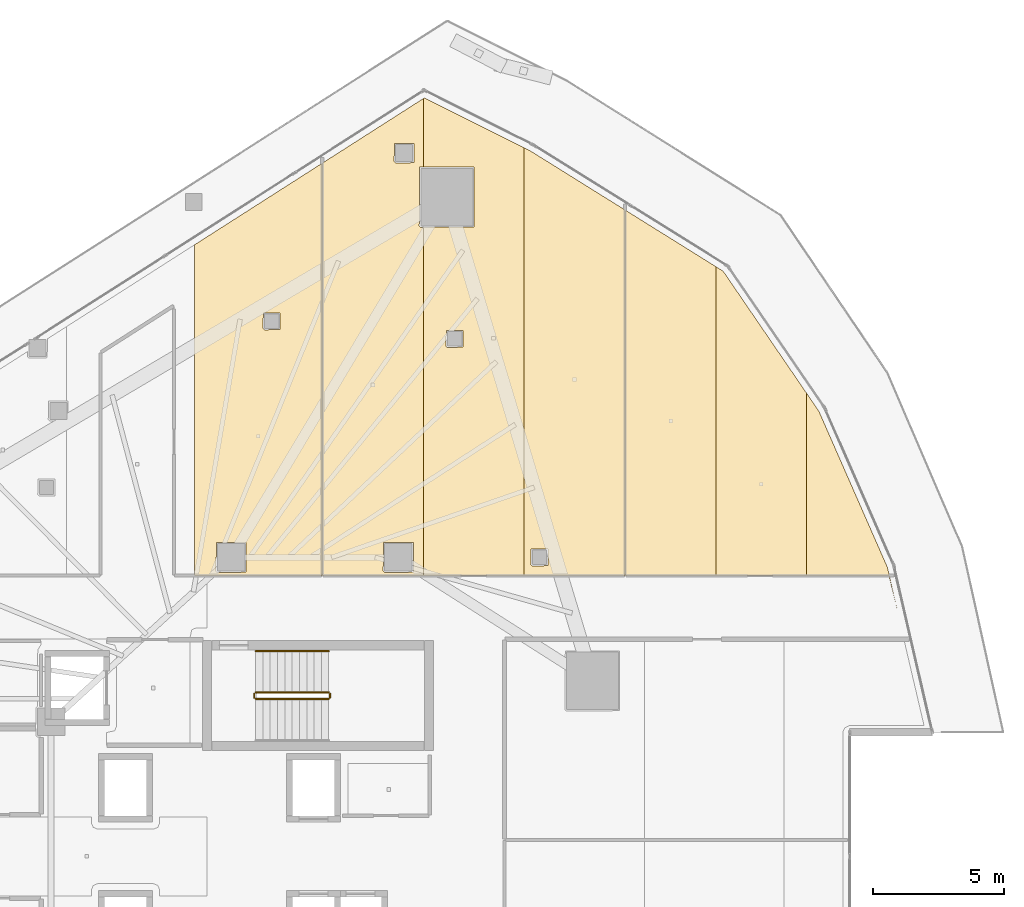
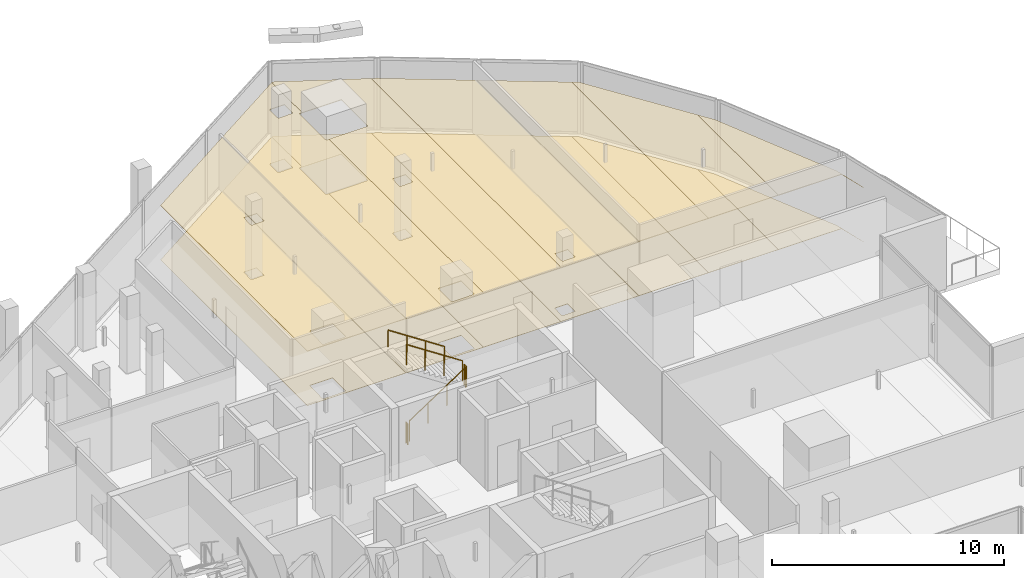
# One storey, part 37 of 38: 14 coverings, 5 railings.
"""IFC4 building model written with IfcOpenShell, lengths in metres."""

from ifc_helpers import new_model, si_unit, direction, frame, origin, origin_2d, place, context, subcontext, project, spatial, polyline, circle, outline, extrude, material, layer, layer_set, type_object, element, save


model = new_model("IFC4")

# Units and contexts
model_context = context("Model", 3, precision=1e-05, world=origin(), true_north=direction((0.0, 1.0)))
body_context = subcontext(model_context, "Body", "Model", "MODEL_VIEW")
ifc_project = project(units=[si_unit("LENGTHUNIT", "METRE"), si_unit("AREAUNIT", "SQUARE_METRE"), si_unit("VOLUMEUNIT", "CUBIC_METRE"), si_unit("PLANEANGLEUNIT", "RADIAN"), si_unit("MASSUNIT", "GRAM", prefix="KILO")], contexts=[model_context])

# Site, building, storey
site_placement = place(None, origin())
site = spatial("IfcSite", under=ifc_project, at=site_placement, CompositionType="ELEMENT")
building_placement = place(site_placement, origin())
building = spatial("IfcBuilding", under=site, at=building_placement, Name="Qorvath Tower", CompositionType="ELEMENT")
storey_placement = place(building_placement, frame((0.0, 0.0, 158.39990234375)))
storey = spatial("IfcBuildingStorey", under=building, at=storey_placement, Name="L36", CompositionType="ELEMENT", Elevation=158.39990234375)

# Coverings
ifc_material_1 = material(Name="Acoustic mineral fibre ceiling tile", Category="gypsum")
ifc_layer_1 = layer(ifc_material_1, 0.030029296875)
ifc_layer_set_1 = layer_set([ifc_layer_1], Name="COV-CEIL")
covering_type_1 = type_object("IfcCoveringType", Name="COV-CEIL", PredefinedType="CEILING", material=ifc_layer_set_1)
covering_1_placement = place(storey_placement, frame((0.0, 0.0, 2.85009765625)))
element("IfcCovering", 1, at=covering_1_placement, inside=storey, type_object=covering_type_1, Name="L36 Suspended Acoustic Ceiling 015", PredefinedType="CEILING", context=body_context, shape_type="SweptSolid", body=[
    extrude(outline(polyline([(-20.123779296875, 10.762939453125), (-20.123779296875, 26.538330078125), (-25.0146484375, 23.412353515625), (-25.0146484375, 10.762939453125), (-20.123779296875, 10.762939453125)]), holes=[polyline([(-22.38818359375, 20.219970703125), (-22.37060546875, 20.812255859375), (-21.73583984375, 20.812255859375), (-21.73583984375, 20.177490234375), (-22.328125, 20.159912109375), (-22.38818359375, 20.219970703125)]), polyline([(-24.18505859375, 10.925048828125), (-24.16748046875, 12.017333984375), (-23.032470703125, 12.017333984375), (-23.032470703125, 10.882568359375), (-24.125, 10.864990234375), (-24.18505859375, 10.925048828125)])]), origin(), (0.0, 0.0, 1.0), 0.030029296875),
])
covering_2_placement = place(storey_placement, frame((0.0, 0.0, 2.85009765625)))
element("IfcCovering", 2, at=covering_2_placement, inside=storey, type_object=covering_type_1, Name="L36 Suspended Acoustic Ceiling 016", PredefinedType="CEILING", context=body_context, shape_type="SweptSolid", body=[
    extrude(outline(polyline([(-16.247802734375, 10.762939453125), (-16.247802734375, 24.0869140625), (-16.34423828125, 24.086181640625), (-16.404296875, 24.14599609375), (-16.38671875, 26.388427734375), (-16.247802734375, 26.388427734375), (-16.247802734375, 29.015625), (-20.105712890625, 26.5498046875), (-20.105712890625, 10.762939453125), (-16.247802734375, 10.762939453125)]), holes=[polyline([(-17.3662109375, 26.604248046875), (-17.3486328125, 27.296630859375), (-16.61376953125, 27.296630859375), (-16.61376953125, 26.561767578125), (-17.30615234375, 26.544189453125), (-17.3662109375, 26.604248046875)]), polyline([(-17.784912109375, 10.925048828125), (-17.767333984375, 12.017333984375), (-16.632568359375, 12.017333984375), (-16.632568359375, 10.882568359375), (-17.72509765625, 10.864990234375), (-17.784912109375, 10.925048828125)])]), origin(), (0.0, 0.0, 1.0), 0.030029296875),
])
covering_3_placement = place(storey_placement, frame((0.0, 0.0, 2.85009765625)))
element("IfcCovering", 3, at=covering_3_placement, inside=storey, type_object=covering_type_1, Name="L36 Suspended Acoustic Ceiling 017", PredefinedType="CEILING", context=body_context, shape_type="SweptSolid", body=[
    extrude(outline(polyline([(-12.389892578125, 10.762939453125), (-12.389892578125, 27.133544921875), (-16.206298828125, 29.0419921875), (-16.247802734375, 29.015625), (-16.247802734375, 26.388427734375), (-14.3017578125, 26.388427734375), (-14.3017578125, 24.103759765625), (-16.247802734375, 24.0869140625), (-16.247802734375, 10.762939453125), (-12.389892578125, 10.762939453125)]), holes=[polyline([(-15.381103515625, 19.543212890625), (-15.363525390625, 20.135498046875), (-14.728759765625, 20.135498046875), (-14.728759765625, 19.500732421875), (-15.321044921875, 19.483154296875), (-15.381103515625, 19.543212890625)])]), origin(), (0.0, 0.0, 1.0), 0.030029296875),
])
covering_4_placement = place(storey_placement, frame((0.0, 0.0, 2.85009765625)))
element("IfcCovering", 4, at=covering_4_placement, inside=storey, type_object=covering_type_1, Name="L36 Suspended Acoustic Ceiling 018", PredefinedType="CEILING", context=body_context, shape_type="SweptSolid", body=[
    extrude(outline(polyline([(-8.531982421875, 10.762939453125), (-8.531982421875, 24.75537109375), (-12.156005859375, 27.0166015625), (-12.389892578125, 27.133544921875), (-12.389892578125, 10.762939453125), (-8.531982421875, 10.762939453125)]), holes=[polyline([(-12.135009765625, 11.175048828125), (-12.117431640625, 11.767333984375), (-11.482666015625, 11.767333984375), (-11.482666015625, 11.132568359375), (-12.074951171875, 11.114990234375), (-12.135009765625, 11.175048828125)])]), origin(), (0.0, 0.0, 1.0), 0.030029296875),
])
covering_5_placement = place(storey_placement, frame((0.0, 0.0, 2.85009765625)))
element("IfcCovering", 5, at=covering_5_placement, inside=storey, type_object=covering_type_1, Name="L36 Suspended Acoustic Ceiling 019", PredefinedType="CEILING", context=body_context, shape_type="SweptSolid", body=[
    extrude(outline(polyline([(-5.043701171875, 10.762939453125), (-5.043701171875, 22.578857421875), (-8.513916015625, 24.744140625), (-8.513916015625, 10.762939453125), (-5.043701171875, 10.762939453125)])), origin(), (0.0, 0.0, 1.0), 0.030029296875),
])
covering_6_placement = place(storey_placement, frame((0.0, 0.0, 2.85009765625)))
element("IfcCovering", 6, at=covering_6_placement, inside=storey, type_object=covering_type_1, Name="L36 Suspended Acoustic Ceiling 020", PredefinedType="CEILING", context=body_context, shape_type="SweptSolid", body=[
    extrude(outline(polyline([(-1.573486328125, 10.762939453125), (-1.573486328125, 17.73486328125), (-4.7666015625, 22.406005859375), (-5.043701171875, 22.578857421875), (-5.043701171875, 10.762939453125), (-1.573486328125, 10.762939453125)])), origin(), (0.0, 0.0, 1.0), 0.030029296875),
])
covering_7_placement = place(storey_placement, frame((0.0, 0.0, 2.85009765625)))
element("IfcCovering", 7, at=covering_7_placement, inside=storey, type_object=covering_type_1, Name="L36 Suspended Acoustic Ceiling 021", PredefinedType="CEILING", context=body_context, shape_type="SweptSolid", body=[
    extrude(outline(polyline([(1.896728515625, 9.44580078125), (1.519775390625, 11.072265625), (-1.102294921875, 17.04541015625), (-1.573486328125, 17.73486328125), (-1.573486328125, 10.762939453125), (1.5751953125, 10.762939453125), (1.896728515625, 9.44580078125)])), origin(), (0.0, 0.0, 1.0), 0.030029296875),
])
ifc_material_2 = material(Name="Low-VOC modular carpet tile", Category="textile")
ifc_layer_2 = layer(ifc_material_2, 0.014892578125)
ifc_layer_set_2 = layer_set([ifc_layer_2], Name="COV-FLOOR-CPT")
covering_type_2 = type_object("IfcCoveringType", Name="COV-FLOOR-CPT", PredefinedType="FLOORING", material=ifc_layer_set_2)
covering_8_placement = place(storey_placement, origin())
element("IfcCovering", 8, at=covering_8_placement, inside=storey, type_object=covering_type_2, Name="L36 Floor Finish 015", PredefinedType="FLOORING", context=body_context, shape_type="SweptSolid", body=[
    extrude(outline(polyline([(-20.123779296875, 10.762939453125), (-20.123779296875, 26.538330078125), (-25.0146484375, 23.412353515625), (-25.0146484375, 10.762939453125), (-20.123779296875, 10.762939453125)]), holes=[polyline([(-22.38818359375, 20.219970703125), (-22.37060546875, 20.812255859375), (-21.73583984375, 20.812255859375), (-21.73583984375, 20.177490234375), (-22.328125, 20.159912109375), (-22.38818359375, 20.219970703125)]), polyline([(-24.18505859375, 10.925048828125), (-24.16748046875, 12.017333984375), (-23.032470703125, 12.017333984375), (-23.032470703125, 10.882568359375), (-24.125, 10.864990234375), (-24.18505859375, 10.925048828125)])]), origin(), (0.0, 0.0, 1.0), 0.01513671875),
])
covering_9_placement = place(storey_placement, origin())
element("IfcCovering", 9, at=covering_9_placement, inside=storey, type_object=covering_type_2, Name="L36 Floor Finish 016", PredefinedType="FLOORING", context=body_context, shape_type="SweptSolid", body=[
    extrude(outline(polyline([(-16.247802734375, 10.762939453125), (-16.247802734375, 24.0869140625), (-16.34423828125, 24.086181640625), (-16.404296875, 24.14599609375), (-16.38671875, 26.388427734375), (-16.247802734375, 26.388427734375), (-16.247802734375, 29.015625), (-20.105712890625, 26.5498046875), (-20.105712890625, 10.762939453125), (-16.247802734375, 10.762939453125)]), holes=[polyline([(-17.3662109375, 26.604248046875), (-17.3486328125, 27.296630859375), (-16.61376953125, 27.296630859375), (-16.61376953125, 26.561767578125), (-17.30615234375, 26.544189453125), (-17.3662109375, 26.604248046875)]), polyline([(-17.784912109375, 10.925048828125), (-17.767333984375, 12.017333984375), (-16.632568359375, 12.017333984375), (-16.632568359375, 10.882568359375), (-17.72509765625, 10.864990234375), (-17.784912109375, 10.925048828125)])]), origin(), (0.0, 0.0, 1.0), 0.01513671875),
])
covering_10_placement = place(storey_placement, origin())
element("IfcCovering", 10, at=covering_10_placement, inside=storey, type_object=covering_type_2, Name="L36 Floor Finish 017", PredefinedType="FLOORING", context=body_context, shape_type="SweptSolid", body=[
    extrude(outline(polyline([(-12.389892578125, 10.762939453125), (-12.389892578125, 27.133544921875), (-16.206298828125, 29.0419921875), (-16.247802734375, 29.015625), (-16.247802734375, 26.388427734375), (-14.3017578125, 26.388427734375), (-14.3017578125, 24.103759765625), (-16.247802734375, 24.0869140625), (-16.247802734375, 10.762939453125), (-12.389892578125, 10.762939453125)]), holes=[polyline([(-15.381103515625, 19.543212890625), (-15.363525390625, 20.135498046875), (-14.728759765625, 20.135498046875), (-14.728759765625, 19.500732421875), (-15.321044921875, 19.483154296875), (-15.381103515625, 19.543212890625)])]), origin(), (0.0, 0.0, 1.0), 0.01513671875),
])
covering_11_placement = place(storey_placement, origin())
element("IfcCovering", 11, at=covering_11_placement, inside=storey, type_object=covering_type_2, Name="L36 Floor Finish 018", PredefinedType="FLOORING", context=body_context, shape_type="SweptSolid", body=[
    extrude(outline(polyline([(-8.531982421875, 10.762939453125), (-8.531982421875, 24.75537109375), (-12.156005859375, 27.0166015625), (-12.389892578125, 27.133544921875), (-12.389892578125, 10.762939453125), (-8.531982421875, 10.762939453125)]), holes=[polyline([(-12.135009765625, 11.175048828125), (-12.117431640625, 11.767333984375), (-11.482666015625, 11.767333984375), (-11.482666015625, 11.132568359375), (-12.074951171875, 11.114990234375), (-12.135009765625, 11.175048828125)])]), origin(), (0.0, 0.0, 1.0), 0.01513671875),
])
covering_12_placement = place(storey_placement, origin())
element("IfcCovering", 12, at=covering_12_placement, inside=storey, type_object=covering_type_2, Name="L36 Floor Finish 019", PredefinedType="FLOORING", context=body_context, shape_type="SweptSolid", body=[
    extrude(outline(polyline([(-5.043701171875, 10.762939453125), (-5.043701171875, 22.578857421875), (-8.513916015625, 24.744140625), (-8.513916015625, 10.762939453125), (-5.043701171875, 10.762939453125)])), origin(), (0.0, 0.0, 1.0), 0.01513671875),
])
covering_13_placement = place(storey_placement, origin())
element("IfcCovering", 13, at=covering_13_placement, inside=storey, type_object=covering_type_2, Name="L36 Floor Finish 020", PredefinedType="FLOORING", context=body_context, shape_type="SweptSolid", body=[
    extrude(outline(polyline([(-1.573486328125, 10.762939453125), (-1.573486328125, 17.73486328125), (-4.7666015625, 22.406005859375), (-5.043701171875, 22.578857421875), (-5.043701171875, 10.762939453125), (-1.573486328125, 10.762939453125)])), origin(), (0.0, 0.0, 1.0), 0.01513671875),
])
covering_14_placement = place(storey_placement, origin())
element("IfcCovering", 14, at=covering_14_placement, inside=storey, type_object=covering_type_2, Name="L36 Floor Finish 021", PredefinedType="FLOORING", context=body_context, shape_type="SweptSolid", body=[
    extrude(outline(polyline([(1.896728515625, 9.44580078125), (1.519775390625, 11.072265625), (-1.102294921875, 17.04541015625), (-1.573486328125, 17.73486328125), (-1.573486328125, 10.762939453125), (1.5751953125, 10.762939453125), (1.896728515625, 9.44580078125)])), origin(), (0.0, 0.0, 1.0), 0.01513671875),
])

# Railings
ifc_material_3 = material(Name="Painted galvanised steel", Category="steel")
railing_type_1 = type_object("IfcRailingType", Name="RL-STR-GRD", PredefinedType="GUARDRAIL", material=ifc_material_3)
railing_1_placement = place(storey_placement, frame((-22.669921875, 6.030029296875, 0.18408203125)))
element("IfcRailing", 15, at=railing_1_placement, inside=storey, type_object=railing_type_1, Name="L36 TS1 stair guard 1", PredefinedType="GUARDRAIL", context=body_context, shape_type="SweptSolid", body=[
    extrude(circle(Radius=0.02392578125, at=origin_2d()), frame((0.0, 0.0, 1.076171875), z_axis=(0.835542071712, 0.0, 0.549426470421), x_axis=(0.0, 1.0, 0.0)), (0.0, 0.0, 1.0), 3.350830078125),
    extrude(circle(Radius=0.02099609375, at=origin_2d()), origin(), (0.0, 0.0, 1.0), 1.052001953125),
    extrude(circle(Radius=0.02099609375, at=origin_2d()), frame((0.933349609375, 0.0, 0.61376953125)), (0.0, 0.0, 1.0), 1.052001953125),
    extrude(circle(Radius=0.02099609375, at=origin_2d()), frame((1.866455078125, 0.0, 1.227294921875)), (0.0, 0.0, 1.0), 1.052001953125),
    extrude(circle(Radius=0.02099609375, at=origin_2d()), frame((2.7998046875, 0.0, 1.841064453125)), (0.0, 0.0, 1.0), 1.052001953125),
])
railing_2_placement = place(storey_placement, frame((-19.820068359375, 6.080078125, 2.025146484375)))
element("IfcRailing", 16, at=railing_2_placement, inside=storey, type_object=railing_type_1, Name="L36 TS1 stair guard 2", PredefinedType="GUARDRAIL", context=body_context, shape_type="SweptSolid", body=[
    extrude(circle(Radius=0.02392578125, at=origin_2d()), frame((0.0, 0.0, 1.076171875), z_axis=(0.0, 1.0, 0.0), x_axis=(-1.0, 0.0, 0.0)), (0.0, 0.0, 1.0), 0.14990234375),
    extrude(circle(Radius=0.02099609375, at=origin_2d()), origin(), (0.0, 0.0, 1.0), 1.052001953125),
    extrude(circle(Radius=0.02099609375, at=origin_2d()), frame((0.0, 0.14990234375, 0.0)), (0.0, 0.0, 1.0), 1.052001953125),
])
railing_3_placement = place(storey_placement, frame((-19.8701171875, 6.280029296875, 2.209228515625)))
element("IfcRailing", 17, at=railing_3_placement, inside=storey, type_object=railing_type_1, Name="L36 TS1 stair guard 3", PredefinedType="GUARDRAIL", context=body_context, shape_type="SweptSolid", body=[
    extrude(circle(Radius=0.02392578125, at=origin_2d()), frame((0.0, 0.0, 1.076171875), z_axis=(-0.835575518608, 0.0, 0.549375602573), x_axis=(0.0, -1.0, 0.0)), (0.0, 0.0, 1.0), 3.350830078125),
    extrude(circle(Radius=0.02099609375, at=origin_2d()), origin(), (0.0, 0.0, 1.0), 1.052001953125),
    extrude(circle(Radius=0.02099609375, at=origin_2d()), frame((-0.933349609375, 0.0, 0.613525390625)), (0.0, 0.0, 1.0), 1.052001953125),
    extrude(circle(Radius=0.02099609375, at=origin_2d()), frame((-1.866455078125, 0.0, 1.227294921875)), (0.0, 0.0, 1.0), 1.052001953125),
    extrude(circle(Radius=0.02099609375, at=origin_2d()), frame((-2.7998046875, 0.0, 1.8408203125)), (0.0, 0.0, 1.0), 1.052001953125),
])
railing_4_placement = place(storey_placement, frame((-22.719970703125, 6.080078125, 0.0)))
element("IfcRailing", 18, at=railing_4_placement, inside=storey, type_object=railing_type_1, Name="L36 TS1 stair guard 4", PredefinedType="GUARDRAIL", context=body_context, shape_type="SweptSolid", body=[
    extrude(circle(Radius=0.02392578125, at=origin_2d()), frame((0.0, 0.0, 1.076171875), z_axis=(0.0, 1.0, 0.0), x_axis=(-1.0, 0.0, 0.0)), (0.0, 0.0, 1.0), 0.14990234375),
    extrude(circle(Radius=0.02099609375, at=origin_2d()), origin(), (0.0, 0.0, 1.0), 1.052001953125),
    extrude(circle(Radius=0.02099609375, at=origin_2d()), frame((0.0, 0.14990234375, 0.0)), (0.0, 0.0, 1.0), 1.052001953125),
])
ifc_material_4 = material(Name="Brushed stainless steel AISI 304", Category="steel")
railing_type_2 = type_object("IfcRailingType", Name="RL-STR-HND", PredefinedType="HANDRAIL", material=ifc_material_4)
railing_5_placement = place(storey_placement, frame((-19.8701171875, 7.860107421875, 2.209228515625)))
element("IfcRailing", 19, at=railing_5_placement, inside=storey, type_object=railing_type_2, Name="L36 TS1 stair handrail 2", PredefinedType="HANDRAIL", context=body_context, shape_type="SweptSolid", body=[
    extrude(circle(Radius=0.02392578125, at=origin_2d()), frame((0.0, 0.0, 0.8759765625), z_axis=(-0.835575518608, 0.0, 0.549375602573), x_axis=(0.0, -1.0, 0.0)), (0.0, 0.0, 1.0), 3.350830078125),
    extrude(circle(Radius=0.02099609375, at=origin_2d()), origin(), (0.0, 0.0, 1.0), 0.851806640625),
    extrude(circle(Radius=0.02099609375, at=origin_2d()), frame((-0.933349609375, 0.0, 0.613525390625)), (0.0, 0.0, 1.0), 0.851806640625),
    extrude(circle(Radius=0.02099609375, at=origin_2d()), frame((-1.866455078125, 0.0, 1.227294921875)), (0.0, 0.0, 1.0), 0.851806640625),
    extrude(circle(Radius=0.02099609375, at=origin_2d()), frame((-2.7998046875, 0.0, 1.8408203125)), (0.0, 0.0, 1.0), 0.851806640625),
])

save(model, "model.ifc")
